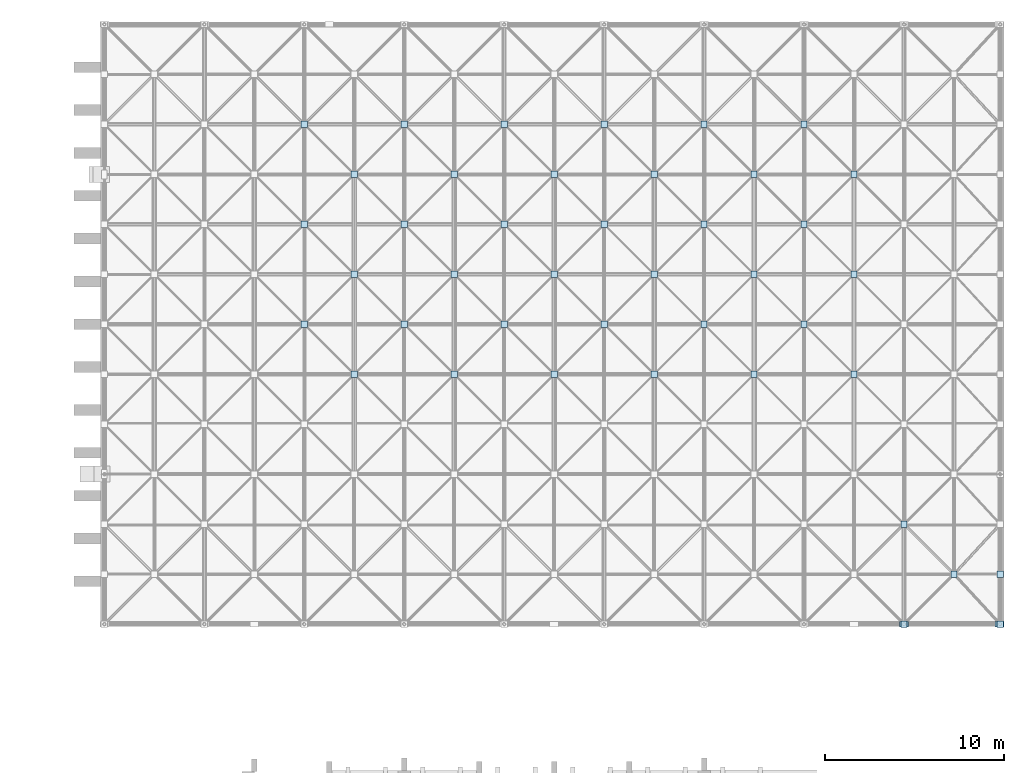
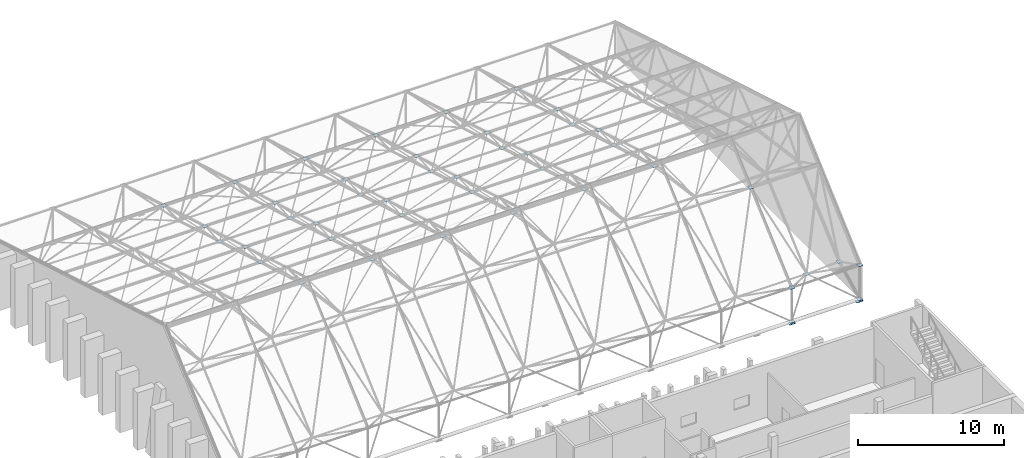
# One storey, part 61 of 100: 45 plates.
"""IFC4 building model written with IfcOpenShell, lengths in metres."""

from ifc_helpers import new_model, si_unit, direction, frame, origin, origin_2d, place, context, subcontext, project, spatial, rectangle, extrude, material, layer, layer_set, type_object, element, save


model = new_model("IFC4")

# Units and contexts
model_context = context("Model", 3, precision=1e-05, world=origin(), true_north=direction((0.0, 1.0)))
body_context = subcontext(model_context, "Body", "Model", "MODEL_VIEW")
ifc_project = project(units=[si_unit("LENGTHUNIT", "METRE"), si_unit("AREAUNIT", "SQUARE_METRE"), si_unit("VOLUMEUNIT", "CUBIC_METRE"), si_unit("PLANEANGLEUNIT", "RADIAN"), si_unit("MASSUNIT", "GRAM", prefix="KILO")], contexts=[model_context])

# Site, building, storey
site_placement = place(None, origin())
site = spatial("IfcSite", under=ifc_project, at=site_placement, CompositionType="ELEMENT")
building_placement = place(site_placement, origin())
building = spatial("IfcBuilding", under=site, at=building_placement, Name="Kiln Court Media Centre", CompositionType="ELEMENT")
storey_placement = place(building_placement, frame((0.0, 0.0, 15.0)))
storey = spatial("IfcBuildingStorey", under=building, at=storey_placement, Name="L03", CompositionType="ELEMENT", Elevation=15.0)

# Plates
ifc_material_1 = material(Name="Steel ASTM A572 Gr 50", Category="steel")
ifc_layer_1 = layer(ifc_material_1, 0.010009765625)
ifc_layer_set_1 = layer_set([ifc_layer_1], Name="Steel ASTM A572 Gr 50 350x350x10 connection plate V2")
plate_type_1 = type_object("IfcPlateType", Name="Steel ASTM A572 Gr 50 350x350x10 connection plate V2", PredefinedType="USERDEFINED", material=ifc_layer_set_1)
for number, where, z_axis, x_axis, name in (
    (1, (128.800048828125, 50.39990234375, 7.9951171875), (0.0, 0.0, 1.0), (1.0, 0.0, 0.0), "V2 node connection plate"),
    (2, (128.800048828125, 56.0, 6.328125), (0.0, 0.0, 1.0), (1.0, 0.0, 0.0), "V2 node connection plate"),
    (3, (128.800048828125, 61.60009765625, 4.66162109375), (0.0, 0.0, 1.0), (1.0, 0.0, 0.0), "V2 node connection plate"),
    (4, (131.60009765625, 47.60009765625, 5.6982421875), (0.0, 0.0, 1.0), (1.0, 0.0, 0.0), "V2 node connection plate"),
    (5, (131.60009765625, 53.199951171875, 4.03173828125), (0.0, 0.0, 1.0), (1.0, 0.0, 0.0), "V2 node connection plate"),
    (6, (131.60009765625, 58.800048828125, 2.365234375), (0.0, 0.0, 1.0), (1.0, 0.0, 0.0), "V2 node connection plate"),
    (7, (134.39990234375, 50.39990234375, 7.9951171875), (0.0, 0.0, 1.0), (1.0, 0.0, 0.0), "V2 node connection plate"),
    (8, (134.39990234375, 56.0, 6.328125), (0.0, 0.0, 1.0), (1.0, 0.0, 0.0), "V2 node connection plate"),
    (9, (134.39990234375, 61.60009765625, 4.66162109375), (0.0, 0.0, 1.0), (1.0, 0.0, 0.0), "V2 node connection plate"),
    (10, (137.199951171875, 47.60009765625, 5.6982421875), (0.0, 0.0, 1.0), (1.0, 0.0, 0.0), "V2 node connection plate"),
    (11, (137.199951171875, 53.199951171875, 4.03173828125), (0.0, 0.0, 1.0), (1.0, 0.0, 0.0), "V2 node connection plate"),
    (12, (137.199951171875, 58.800048828125, 2.365234375), (0.0, 0.0, 1.0), (1.0, 0.0, 0.0), "V2 node connection plate"),
    (13, (140.0, 50.39990234375, 7.9951171875), (0.0, 0.0, 1.0), (1.0, 0.0, 0.0), "V2 node connection plate"),
    (14, (140.0, 56.0, 6.328125), (0.0, 0.0, 1.0), (1.0, 0.0, 0.0), "V2 node connection plate"),
    (15, (140.0, 61.60009765625, 4.66162109375), (0.0, 0.0, 1.0), (1.0, 0.0, 0.0), "V2 node connection plate"),
    (16, (142.800048828125, 47.60009765625, 5.6982421875), (0.0, 0.0, 1.0), (1.0, 0.0, 0.0), "V2 node connection plate"),
    (17, (142.800048828125, 53.199951171875, 4.03173828125), (0.0, 0.0, 1.0), (1.0, 0.0, 0.0), "V2 node connection plate"),
    (18, (142.800048828125, 58.800048828125, 2.365234375), (0.0, 0.0, 1.0), (1.0, 0.0, 0.0), "V2 node connection plate"),
    (19, (145.60009765625, 50.39990234375, 7.9951171875), (0.0, 0.0, 1.0), (1.0, 0.0, 0.0), "V2 node connection plate"),
    (20, (145.60009765625, 56.0, 6.328125), (0.0, 0.0, 1.0), (1.0, 0.0, 0.0), "V2 node connection plate"),
    (21, (145.60009765625, 61.60009765625, 4.66162109375), (0.0, 0.0, 1.0), (1.0, 0.0, 0.0), "V2 node connection plate"),
    (22, (148.39990234375, 47.60009765625, 5.6982421875), (0.0, 0.0, 1.0), (1.0, 0.0, 0.0), "V2 node connection plate"),
    (23, (148.39990234375, 53.199951171875, 4.03173828125), (0.0, 0.0, 1.0), (1.0, 0.0, 0.0), "V2 node connection plate"),
    (24, (148.39990234375, 58.800048828125, 2.365234375), (0.0, 0.0, 1.0), (1.0, 0.0, 0.0), "V2 node connection plate"),
    (25, (151.199951171875, 50.39990234375, 7.9951171875), (0.0, 0.0, 1.0), (1.0, 0.0, 0.0), "V2 node connection plate"),
    (26, (151.199951171875, 56.0, 6.328125), (0.0, 0.0, 1.0), (1.0, 0.0, 0.0), "V2 node connection plate"),
    (27, (151.199951171875, 61.60009765625, 4.66162109375), (0.0, 0.0, 1.0), (1.0, 0.0, 0.0), "V2 node connection plate"),
    (28, (154.0, 47.60009765625, 5.6982421875), (0.0, 0.0, 1.0), (1.0, 0.0, 0.0), "V2 node connection plate"),
    (29, (154.0, 53.199951171875, 4.03173828125), (0.0, 0.0, 1.0), (1.0, 0.0, 0.0), "V2 node connection plate"),
    (30, (154.0, 58.800048828125, 2.365234375), (0.0, 0.0, 1.0), (1.0, 0.0, 0.0), "V2 node connection plate"),
    (31, (156.800048828125, 50.39990234375, 7.9951171875), (0.0, 0.0, 1.0), (1.0, 0.0, 0.0), "V2 node connection plate"),
    (32, (156.800048828125, 56.0, 6.328125), (0.0, 0.0, 1.0), (1.0, 0.0, 0.0), "V2 node connection plate"),
    (33, (156.800048828125, 61.60009765625, 4.66162109375), (0.0, 0.0, 1.0), (1.0, 0.0, 0.0), "V2 node connection plate"),
    (34, (159.60009765625, 47.60009765625, 5.6982421875), (0.0, 0.0, 1.0), (1.0, 0.0, 0.0), "V2 node connection plate"),
    (35, (159.60009765625, 53.199951171875, 4.03173828125), (0.0, 0.0, 1.0), (1.0, 0.0, 0.0), "V2 node connection plate"),
    (36, (159.60009765625, 58.800048828125, 2.365234375), (0.0, 0.0, 1.0), (1.0, 0.0, 0.0), "V2 node connection plate"),
    (37, (162.39990234375, 33.60009765625, 0.15966796875), (0.0, 0.0, 1.0), (1.0, 0.0, 0.0), "V2 node connection plate"),
    (38, (162.39990234375, 33.60009765625, 2.9951171875), (0.0, 0.0, 1.0), (1.0, 0.0, 0.0), "V2 node connection plate"),
    (39, (162.39990234375, 39.199951171875, 7.9951171875), (0.0, 0.0, 1.0), (1.0, 0.0, 0.0), "V2 node connection plate"),
    (40, (165.199951171875, 36.39990234375, 1.47314453125), (0.0, 0.0, 1.0), (1.0, 0.0, 0.0), "V2 node connection plate"),
    (41, (167.78662109375, 33.60009765625, 0.15966796875), (0.0, 0.0, 1.0), (1.0, 0.0, 0.0), "V2 node connection plate"),
    (42, (167.78662109375, 33.60009765625, 2.9951171875), (0.0, 0.0, 1.0), (1.0, 0.0, 0.0), "V2 node connection plate"),
    (43, (167.78662109375, 36.39990234375, 1.59814453125), (0.0, 0.0, 1.0), (1.0, 0.0, 0.0), "V2 node connection plate"),
):
    element("IfcPlate", number, at=place(storey_placement, frame(where, z_axis=z_axis, x_axis=x_axis)), inside=storey, type_object=plate_type_1, Name=name, ObjectType="CONNECTION PLATE", PredefinedType="USERDEFINED", context=body_context, shape_type="SweptSolid", body=[
        extrude(rectangle(XDim=0.35009765625, YDim=0.35009765625, at=origin_2d()), origin(), (0.0, 0.0, 1.0), 0.010009765625),
    ])
ifc_material_2 = material(Name="Steel ASTM A572 Gr 50", Category="steel")
ifc_layer_2 = layer(ifc_material_2, 0.030029296875)
ifc_layer_set_2 = layer_set([ifc_layer_2], Name="Steel ASTM A572 Gr 50 500x300x30 bearing plate")
plate_type_2 = type_object("IfcPlateType", Name="Steel ASTM A572 Gr 50 500x300x30 bearing plate", PredefinedType="USERDEFINED", material=ifc_layer_set_2)
for number, where, z_axis, x_axis, name in (
    (44, (162.39990234375, 33.60009765625, -0.001953125), (0.0, 0.0, 1.0), (1.0, 0.0, 0.0), "V2 roof bearing plate at node 162.4 33.6 bearing plate"),
    (45, (167.75, 33.60009765625, -0.001953125), (0.0, 0.0, 1.0), (1.0, 0.0, 0.0), "V2 roof bearing plate at node 167.8 33.6 bearing plate"),
):
    element("IfcPlate", number, at=place(storey_placement, frame(where, z_axis=z_axis, x_axis=x_axis)), inside=storey, type_object=plate_type_2, Name=name, ObjectType="BEARING PLATE", PredefinedType="USERDEFINED", context=body_context, shape_type="SweptSolid", body=[
        extrude(rectangle(XDim=0.5, YDim=0.300048828125, at=origin_2d()), origin(), (0.0, 0.0, 1.0), 0.030029296875),
    ])

save(model, "model.ifc")
